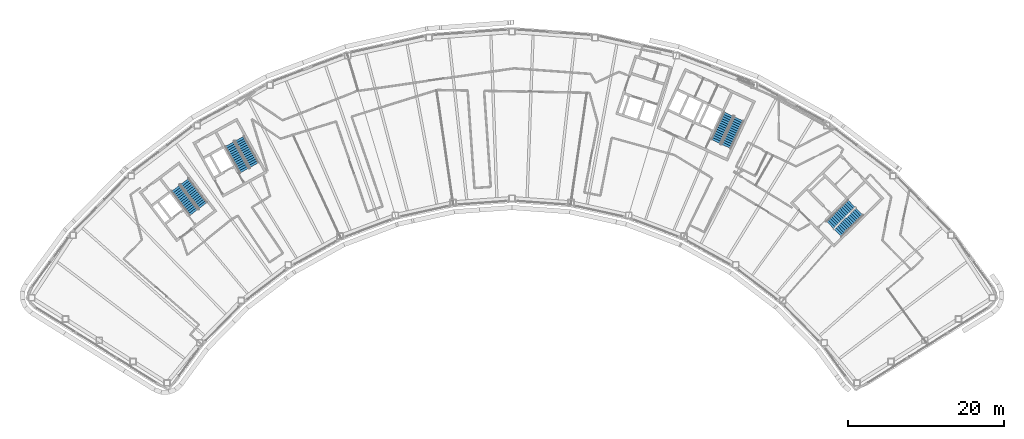
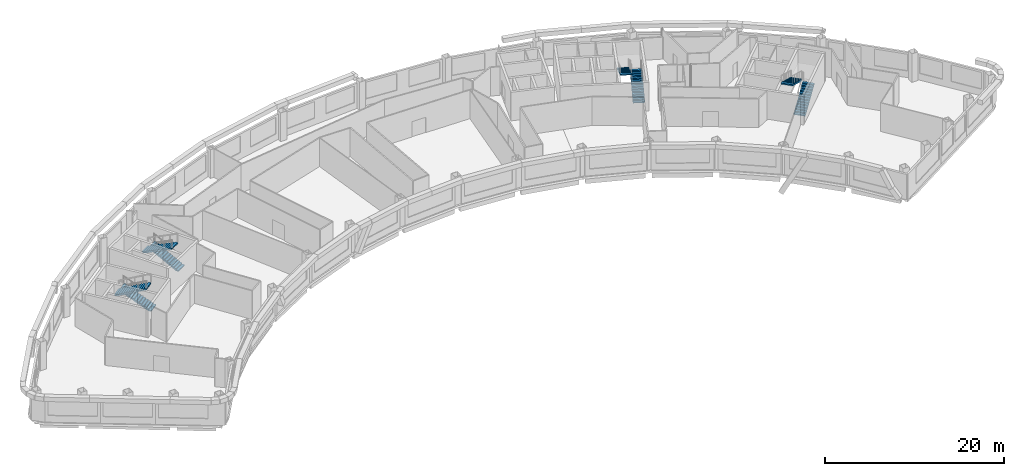
# One storey, part 11 of 13: 8 stair flights, 4 elements without a shape of their own.
"""IFC4 building model written with IfcOpenShell, lengths in metres."""

from ifc_helpers import new_model, si_unit, direction, frame, origin, place, context, subcontext, project, spatial, polyline, outline, extrude, material, type_object, element, aggregate, save


model = new_model("IFC4")

# Units and contexts
model_context = context("Model", 3, precision=1e-05, world=origin(), true_north=direction((0.0, 1.0)))
body_context = subcontext(model_context, "Body", "Model", "MODEL_VIEW")
ifc_project = project(units=[si_unit("LENGTHUNIT", "METRE"), si_unit("AREAUNIT", "SQUARE_METRE"), si_unit("VOLUMEUNIT", "CUBIC_METRE"), si_unit("PLANEANGLEUNIT", "RADIAN"), si_unit("MASSUNIT", "GRAM", prefix="KILO")], contexts=[model_context])

# Site, building, storey
site_placement = place(None, origin())
site = spatial("IfcSite", under=ifc_project, at=site_placement, CompositionType="ELEMENT")
building_placement = place(site_placement, origin())
building = spatial("IfcBuilding", under=site, at=building_placement, Name="Tuul Gate Civic Tower", CompositionType="ELEMENT")
storey_placement = place(building_placement, frame((0.0, 0.0, 306.800048828125)))
storey = spatial("IfcBuildingStorey", under=building, at=storey_placement, Name="Level 69", CompositionType="ELEMENT", Elevation=306.800048828125)

# Stair, stair flights
ifc_material_1 = material(Name="Concrete C40/50", Category="concrete")
stair_type = type_object("IfcStairType", Name="Exit stair", PredefinedType="HALF_TURN_STAIR", material=ifc_material_1)
stair_1_placement = place(storey_placement, origin())
stair_1 = element("IfcStair", 1, at=stair_1_placement, inside=storey, type_object=stair_type, Name="Level 69 ST-1", PredefinedType="HALF_TURN_STAIR")
ifc_material_2 = material(Name="Concrete C40/50", Category="concrete")
stair_flight_type = type_object("IfcStairFlightType", Name="Exit stair flight", PredefinedType="STRAIGHT", material=ifc_material_2)
stair_flight_1_placement = place(storey_placement, frame((-32.875244140625, -13.066650390625, 0.0), z_axis=(0.0, 0.0, 1.0), x_axis=(-0.605764474941, 0.795644016442, 0.0)))
stair_flight_1 = element("IfcStairFlight", 2, at=stair_flight_1_placement, type_object=stair_flight_type, Name="ST-1 flight 1", NumberOfRisers=14, NumberOfTreads=13, PredefinedType="STRAIGHT", RiserHeight=0.15, TreadLength=0.3, context=body_context, shape_type="SweptSolid", body=[
    extrude(outline(polyline([(0.0, 0.0), (0.0, 0.14990234375), (0.300048828125, 0.14990234375), (0.300048828125, 0.300048828125), (0.60009765625, 0.300048828125), (0.60009765625, 0.449951171875), (0.89990234375, 0.449951171875), (0.89990234375, 0.60009765625), (1.199951171875, 0.60009765625), (1.199951171875, 0.75), (1.5, 0.75), (1.5, 0.89990234375), (1.800048828125, 0.89990234375), (1.800048828125, 1.050048828125), (2.10009765625, 1.050048828125), (2.10009765625, 1.199951171875), (2.39990234375, 1.199951171875), (2.39990234375, 1.35009765625), (2.699951171875, 1.35009765625), (2.699951171875, 1.5), (3.0, 1.5), (3.0, 1.64990234375), (3.300048828125, 1.64990234375), (3.300048828125, 1.800048828125), (3.60009765625, 1.800048828125), (3.60009765625, 1.949951171875), (3.89990234375, 1.949951171875), (3.89990234375, 2.10009765625), (3.89990234375, 1.782470703125), (0.335205078125, 0.0), (0.0, 0.0)])), frame((0.0, 0.675048828125, 0.0), z_axis=(0.0, -1.0, 0.0), x_axis=(1.0, 0.0, 0.0)), (0.0, 0.0, 1.0), 1.35009765625),
])
stair_flight_2_placement = place(storey_placement, frame((-36.391357421875, -10.842041015625, 2.099853515625), z_axis=(0.0, 0.0, 1.0), x_axis=(0.605764474941, -0.795644016442, 0.0)))
stair_flight_2 = element("IfcStairFlight", 3, at=stair_flight_2_placement, type_object=stair_flight_type, Name="ST-1 flight 2", NumberOfRisers=14, NumberOfTreads=13, PredefinedType="STRAIGHT", RiserHeight=0.15, TreadLength=0.3, context=body_context, shape_type="SweptSolid", body=[
    extrude(outline(polyline([(0.0, 0.0), (0.0, 0.14990234375), (0.300048828125, 0.14990234375), (0.300048828125, 0.300048828125), (0.60009765625, 0.300048828125), (0.60009765625, 0.449951171875), (0.89990234375, 0.449951171875), (0.89990234375, 0.60009765625), (1.199951171875, 0.60009765625), (1.199951171875, 0.75), (1.5, 0.75), (1.5, 0.89990234375), (1.800048828125, 0.89990234375), (1.800048828125, 1.050048828125), (2.10009765625, 1.050048828125), (2.10009765625, 1.199951171875), (2.39990234375, 1.199951171875), (2.39990234375, 1.35009765625), (2.699951171875, 1.35009765625), (2.699951171875, 1.5), (3.0, 1.5), (3.0, 1.64990234375), (3.300048828125, 1.64990234375), (3.300048828125, 1.800048828125), (3.60009765625, 1.800048828125), (3.60009765625, 1.949951171875), (3.89990234375, 1.949951171875), (3.89990234375, 2.10009765625), (3.89990234375, 1.782470703125), (0.335205078125, 0.0), (0.0, 0.0)])), frame((0.0, 0.675048828125, 0.0), z_axis=(0.0, -1.0, 0.0), x_axis=(1.0, 0.0, 0.0)), (0.0, 0.0, 1.0), 1.35009765625),
])
aggregate(stair_1, [stair_flight_1, stair_flight_2])

stair_2_placement = place(storey_placement, origin())
stair_2 = element("IfcStair", 4, at=stair_2_placement, inside=storey, type_object=stair_type, Name="Level 69 ST-2", PredefinedType="HALF_TURN_STAIR")
stair_flight_3_placement = place(storey_placement, frame((-26.29150390625, -7.87646484375, 0.0), z_axis=(0.0, 0.0, 1.0), x_axis=(-0.484761763766, 0.874646232708, 0.0)))
stair_flight_3 = element("IfcStairFlight", 5, at=stair_flight_3_placement, type_object=stair_flight_type, Name="ST-2 flight 1", NumberOfRisers=14, NumberOfTreads=13, PredefinedType="STRAIGHT", RiserHeight=0.15, TreadLength=0.3, context=body_context, shape_type="SweptSolid", body=[
    extrude(outline(polyline([(0.0, 0.0), (0.0, 0.14990234375), (0.300048828125, 0.14990234375), (0.300048828125, 0.300048828125), (0.60009765625, 0.300048828125), (0.60009765625, 0.449951171875), (0.89990234375, 0.449951171875), (0.89990234375, 0.60009765625), (1.199951171875, 0.60009765625), (1.199951171875, 0.75), (1.5, 0.75), (1.5, 0.89990234375), (1.800048828125, 0.89990234375), (1.800048828125, 1.050048828125), (2.10009765625, 1.050048828125), (2.10009765625, 1.199951171875), (2.39990234375, 1.199951171875), (2.39990234375, 1.35009765625), (2.699951171875, 1.35009765625), (2.699951171875, 1.5), (3.0, 1.5), (3.0, 1.64990234375), (3.300048828125, 1.64990234375), (3.300048828125, 1.800048828125), (3.60009765625, 1.800048828125), (3.60009765625, 1.949951171875), (3.89990234375, 1.949951171875), (3.89990234375, 2.10009765625), (3.89990234375, 1.782470703125), (0.335205078125, 0.0), (0.0, 0.0)])), frame((0.0, 0.675048828125, 0.0), z_axis=(0.0, -1.0, 0.0), x_axis=(1.0, 0.0, 0.0)), (0.0, 0.0, 1.0), 1.35009765625),
])
stair_flight_4_placement = place(storey_placement, frame((-29.450439453125, -5.168212890625, 2.099853515625), z_axis=(0.0, 0.0, 1.0), x_axis=(0.484761763766, -0.874646232708, 0.0)))
stair_flight_4 = element("IfcStairFlight", 6, at=stair_flight_4_placement, type_object=stair_flight_type, Name="ST-2 flight 2", NumberOfRisers=14, NumberOfTreads=13, PredefinedType="STRAIGHT", RiserHeight=0.15, TreadLength=0.3, context=body_context, shape_type="SweptSolid", body=[
    extrude(outline(polyline([(0.0, 0.0), (0.0, 0.14990234375), (0.300048828125, 0.14990234375), (0.300048828125, 0.300048828125), (0.60009765625, 0.300048828125), (0.60009765625, 0.449951171875), (0.89990234375, 0.449951171875), (0.89990234375, 0.60009765625), (1.199951171875, 0.60009765625), (1.199951171875, 0.75), (1.5, 0.75), (1.5, 0.89990234375), (1.800048828125, 0.89990234375), (1.800048828125, 1.050048828125), (2.10009765625, 1.050048828125), (2.10009765625, 1.199951171875), (2.39990234375, 1.199951171875), (2.39990234375, 1.35009765625), (2.699951171875, 1.35009765625), (2.699951171875, 1.5), (3.0, 1.5), (3.0, 1.64990234375), (3.300048828125, 1.64990234375), (3.300048828125, 1.800048828125), (3.60009765625, 1.800048828125), (3.60009765625, 1.949951171875), (3.89990234375, 1.949951171875), (3.89990234375, 2.10009765625), (3.89990234375, 1.782470703125), (0.335205078125, 0.0), (0.0, 0.0)])), frame((0.0, 0.675048828125, 0.0), z_axis=(0.0, -1.0, 0.0), x_axis=(1.0, 0.0, 0.0)), (0.0, 0.0, 1.0), 1.35009765625),
])
aggregate(stair_2, [stair_flight_3, stair_flight_4])

stair_3_placement = place(storey_placement, origin())
stair_3 = element("IfcStair", 7, at=stair_3_placement, inside=storey, type_object=stair_type, Name="Level 69 ST-3", PredefinedType="HALF_TURN_STAIR")
stair_flight_5_placement = place(storey_placement, frame((48.61376953125, -16.581787109375, 0.0), z_axis=(0.0, 0.0, 1.0), x_axis=(0.714127290059, 0.700015866672, 0.0)))
stair_flight_5 = element("IfcStairFlight", 8, at=stair_flight_5_placement, type_object=stair_flight_type, Name="ST-3 flight 1", NumberOfRisers=14, NumberOfTreads=13, PredefinedType="STRAIGHT", RiserHeight=0.15, TreadLength=0.3, context=body_context, shape_type="SweptSolid", body=[
    extrude(outline(polyline([(0.0, 0.0), (0.0, 0.14990234375), (0.300048828125, 0.14990234375), (0.300048828125, 0.300048828125), (0.60009765625, 0.300048828125), (0.60009765625, 0.449951171875), (0.89990234375, 0.449951171875), (0.89990234375, 0.60009765625), (1.199951171875, 0.60009765625), (1.199951171875, 0.75), (1.5, 0.75), (1.5, 0.89990234375), (1.800048828125, 0.89990234375), (1.800048828125, 1.050048828125), (2.10009765625, 1.050048828125), (2.10009765625, 1.199951171875), (2.39990234375, 1.199951171875), (2.39990234375, 1.35009765625), (2.699951171875, 1.35009765625), (2.699951171875, 1.5), (3.0, 1.5), (3.0, 1.64990234375), (3.300048828125, 1.64990234375), (3.300048828125, 1.800048828125), (3.60009765625, 1.800048828125), (3.60009765625, 1.949951171875), (3.89990234375, 1.949951171875), (3.89990234375, 2.10009765625), (3.89990234375, 1.782470703125), (0.335205078125, 0.0), (0.0, 0.0)])), frame((0.0, 0.675048828125, 0.0), z_axis=(0.0, -1.0, 0.0), x_axis=(1.0, 0.0, 0.0)), (0.0, 0.0, 1.0), 1.35009765625),
])
stair_flight_6_placement = place(storey_placement, frame((50.3837890625, -12.816162109375, 2.099853515625), z_axis=(0.0, 0.0, 1.0), x_axis=(-0.714127290059, -0.700015866672, 0.0)))
stair_flight_6 = element("IfcStairFlight", 9, at=stair_flight_6_placement, type_object=stair_flight_type, Name="ST-3 flight 2", NumberOfRisers=14, NumberOfTreads=13, PredefinedType="STRAIGHT", RiserHeight=0.15, TreadLength=0.3, context=body_context, shape_type="SweptSolid", body=[
    extrude(outline(polyline([(0.0, 0.0), (0.0, 0.14990234375), (0.300048828125, 0.14990234375), (0.300048828125, 0.300048828125), (0.60009765625, 0.300048828125), (0.60009765625, 0.449951171875), (0.89990234375, 0.449951171875), (0.89990234375, 0.60009765625), (1.199951171875, 0.60009765625), (1.199951171875, 0.75), (1.5, 0.75), (1.5, 0.89990234375), (1.800048828125, 0.89990234375), (1.800048828125, 1.050048828125), (2.10009765625, 1.050048828125), (2.10009765625, 1.199951171875), (2.39990234375, 1.199951171875), (2.39990234375, 1.35009765625), (2.699951171875, 1.35009765625), (2.699951171875, 1.5), (3.0, 1.5), (3.0, 1.64990234375), (3.300048828125, 1.64990234375), (3.300048828125, 1.800048828125), (3.60009765625, 1.800048828125), (3.60009765625, 1.949951171875), (3.89990234375, 1.949951171875), (3.89990234375, 2.10009765625), (3.89990234375, 1.782470703125), (0.335205078125, 0.0), (0.0, 0.0)])), frame((0.0, 0.675048828125, 0.0), z_axis=(0.0, -1.0, 0.0), x_axis=(1.0, 0.0, 0.0)), (0.0, 0.0, 1.0), 1.35009765625),
])
aggregate(stair_3, [stair_flight_5, stair_flight_6])

stair_4_placement = place(storey_placement, origin())
stair_4 = element("IfcStair", 10, at=stair_4_placement, inside=storey, type_object=stair_type, Name="Level 69 ST-4", PredefinedType="HALF_TURN_STAIR")
stair_flight_7_placement = place(storey_placement, frame((34.278564453125, -5.478515625, 0.0), z_axis=(0.0, 0.0, 1.0), x_axis=(0.422576295988, 0.906327354806, 0.0)))
stair_flight_7 = element("IfcStairFlight", 11, at=stair_flight_7_placement, type_object=stair_flight_type, Name="ST-4 flight 1", NumberOfRisers=14, NumberOfTreads=13, PredefinedType="STRAIGHT", RiserHeight=0.15, TreadLength=0.3, context=body_context, shape_type="SweptSolid", body=[
    extrude(outline(polyline([(0.0, 0.0), (0.0, 0.14990234375), (0.300048828125, 0.14990234375), (0.300048828125, 0.300048828125), (0.60009765625, 0.300048828125), (0.60009765625, 0.449951171875), (0.89990234375, 0.449951171875), (0.89990234375, 0.60009765625), (1.199951171875, 0.60009765625), (1.199951171875, 0.75), (1.5, 0.75), (1.5, 0.89990234375), (1.800048828125, 0.89990234375), (1.800048828125, 1.050048828125), (2.10009765625, 1.050048828125), (2.10009765625, 1.199951171875), (2.39990234375, 1.199951171875), (2.39990234375, 1.35009765625), (2.699951171875, 1.35009765625), (2.699951171875, 1.5), (3.0, 1.5), (3.0, 1.64990234375), (3.300048828125, 1.64990234375), (3.300048828125, 1.800048828125), (3.60009765625, 1.800048828125), (3.60009765625, 1.949951171875), (3.89990234375, 1.949951171875), (3.89990234375, 2.10009765625), (3.89990234375, 1.782470703125), (0.335205078125, 0.0), (0.0, 0.0)])), frame((0.0, 0.675048828125, 0.0), z_axis=(0.0, -1.0, 0.0), x_axis=(1.0, 0.0, 0.0)), (0.0, 0.0, 1.0), 1.35009765625),
])
stair_flight_8_placement = place(storey_placement, frame((34.612548828125, -1.3310546875, 2.099853515625), z_axis=(0.0, 0.0, 1.0), x_axis=(-0.422576295988, -0.906327354806, 0.0)))
stair_flight_8 = element("IfcStairFlight", 12, at=stair_flight_8_placement, type_object=stair_flight_type, Name="ST-4 flight 2", NumberOfRisers=14, NumberOfTreads=13, PredefinedType="STRAIGHT", RiserHeight=0.15, TreadLength=0.3, context=body_context, shape_type="SweptSolid", body=[
    extrude(outline(polyline([(0.0, 0.0), (0.0, 0.14990234375), (0.300048828125, 0.14990234375), (0.300048828125, 0.300048828125), (0.60009765625, 0.300048828125), (0.60009765625, 0.449951171875), (0.89990234375, 0.449951171875), (0.89990234375, 0.60009765625), (1.199951171875, 0.60009765625), (1.199951171875, 0.75), (1.5, 0.75), (1.5, 0.89990234375), (1.800048828125, 0.89990234375), (1.800048828125, 1.050048828125), (2.10009765625, 1.050048828125), (2.10009765625, 1.199951171875), (2.39990234375, 1.199951171875), (2.39990234375, 1.35009765625), (2.699951171875, 1.35009765625), (2.699951171875, 1.5), (3.0, 1.5), (3.0, 1.64990234375), (3.300048828125, 1.64990234375), (3.300048828125, 1.800048828125), (3.60009765625, 1.800048828125), (3.60009765625, 1.949951171875), (3.89990234375, 1.949951171875), (3.89990234375, 2.10009765625), (3.89990234375, 1.782470703125), (0.335205078125, 0.0), (0.0, 0.0)])), frame((0.0, 0.675048828125, 0.0), z_axis=(0.0, -1.0, 0.0), x_axis=(1.0, 0.0, 0.0)), (0.0, 0.0, 1.0), 1.35009765625),
])
aggregate(stair_4, [stair_flight_7, stair_flight_8])

save(model, "model.ifc")
